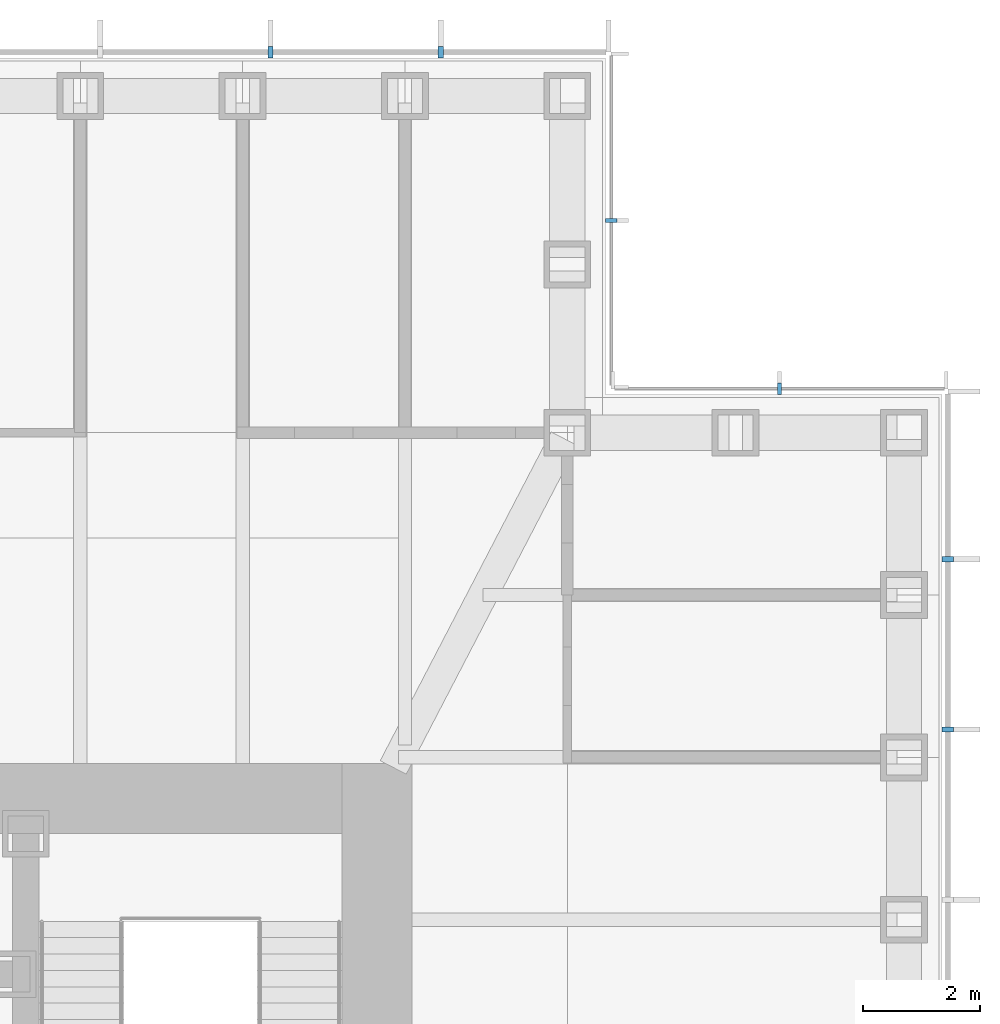
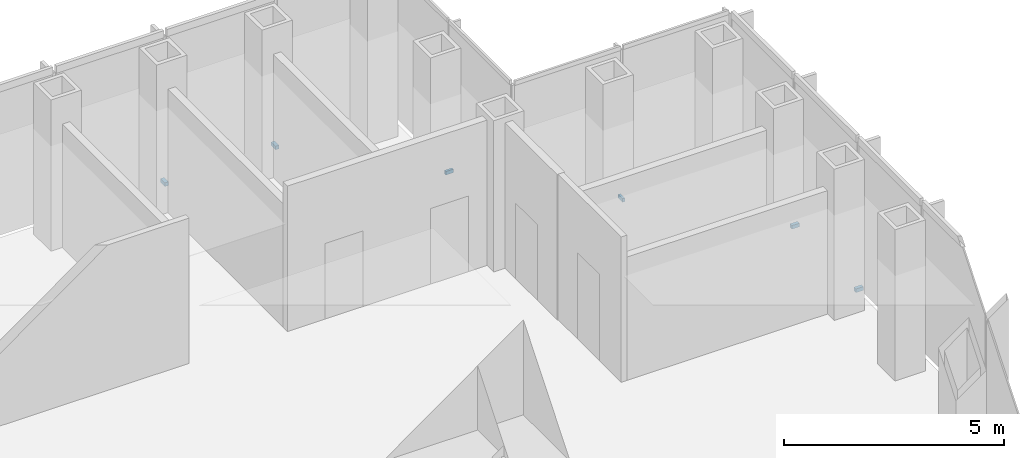
# One storey, part 15 of 16: 6 discrete accessories.
"""IFC4 building model written with IfcOpenShell, lengths in metres."""

import ifcopenshell
import ifcopenshell.guid

model = None  # the IFC model being written
_history = None  # IfcOwnerHistory: only IFC2X3 demands one
_inside = {}  # id of a spatial element -> (the spatial element, [elements in it])
_under = {}  # id of a project, library or spatial element -> (it, [spatial elements below it])
_declared = {}  # id of a project -> (the project, [libraries it declares])
_typed = {}  # id of a type object -> (the type object, [elements of that type])
_made_of = {}  # id of a material, layer set ... -> (it, [elements and type objects made of it])


def new_model(schema):
    """Start an empty IFC model of exactly this schema.

    Asked for "IFC4X3", IfcOpenShell would pick the latest addendum, in which some entities
    have other attributes; the version numbers below select the first issue.
    IFC2X3 requires an IfcOwnerHistory on every rooted entity: one is made here for all.
    """
    global model, _history
    if schema == "IFC4X3":
        model = ifcopenshell.file(schema_version=(4, 3, 0, 0))
    else:
        model = ifcopenshell.file(schema=schema)
    _inside.clear()
    _under.clear()
    _declared.clear()
    _typed.clear()
    _made_of.clear()
    _history = None
    if model.schema == "IFC2X3":
        org = make("IfcOrganization", Name="unknown")
        user = make(
            "IfcPersonAndOrganization",
            ThePerson=make("IfcPerson", FamilyName="unknown"),
            TheOrganization=org,
        )
        app = make(
            "IfcApplication",
            ApplicationDeveloper=org,
            Version="unknown",
            ApplicationFullName="unknown",
            ApplicationIdentifier="unknown",
        )
        _history = make(
            "IfcOwnerHistory",
            OwningUser=user,
            OwningApplication=app,
            ChangeAction="ADDED",
            CreationDate=0,
        )
    return model


def make(cls, **values):
    """One entity of the class cls with the attributes given. An attribute that is None is left unset."""
    return model.create_entity(
        cls, **{name: value for name, value in values.items() if value is not None}
    )


def rooted(cls, **values):
    """An entity with a GlobalId (a new one), such as an element, a storey or a relation."""
    return make(cls, GlobalId=ifcopenshell.guid.new(), OwnerHistory=_history, **values)


def si_unit(unit_type, name, prefix=None):
    """IfcSIUnit, for example si_unit("LENGTHUNIT", "METRE", prefix="MILLI")."""
    return make("IfcSIUnit", UnitType=unit_type, Prefix=prefix, Name=name)


def assignment(units):
    """IfcUnitAssignment: the units of a project."""
    return None if units is None else make("IfcUnitAssignment", Units=units)


def point(xyz):
    """IfcCartesianPoint."""
    return None if xyz is None else make("IfcCartesianPoint", Coordinates=xyz)


def direction(xyz):
    """IfcDirection."""
    return None if xyz is None else make("IfcDirection", DirectionRatios=xyz)


def frame(location, z_axis=None, x_axis=None):
    """IfcAxis2Placement3D, a coordinate frame: its origin and axes. An axis left out is left unset."""
    return make(
        "IfcAxis2Placement3D",
        Location=point(location),
        Axis=direction(z_axis),
        RefDirection=direction(x_axis),
    )


def frame_2d(location, x_axis=None):
    """IfcAxis2Placement2D, a coordinate frame in the plane: its origin and x axis."""
    return make(
        "IfcAxis2Placement2D", Location=point(location), RefDirection=direction(x_axis)
    )


def origin():
    """The frame at (0, 0, 0) with its axes left unset."""
    return frame((0.0, 0.0, 0.0))


def origin_2d():
    """The frame at (0, 0) in the plane with its x axis left unset."""
    return frame_2d((0.0, 0.0))


def place(relative_to, where):
    """IfcLocalPlacement: puts the frame where relative to a parent placement (None: the world)."""
    return make(
        "IfcLocalPlacement", PlacementRelTo=relative_to, RelativePlacement=where
    )


def context(
    kind, dimensions, precision=None, world=None, true_north=None, identifier=None
):
    """IfcGeometricRepresentationContext, for example the 3D "Model" context."""
    return make(
        "IfcGeometricRepresentationContext",
        ContextIdentifier=identifier,
        ContextType=kind,
        CoordinateSpaceDimension=dimensions,
        Precision=precision,
        WorldCoordinateSystem=world,
        TrueNorth=true_north,
    )


def subcontext(parent, identifier, kind, view, scale=None):
    """IfcGeometricRepresentationSubContext, for example "Body" below "Model"."""
    return make(
        "IfcGeometricRepresentationSubContext",
        ContextIdentifier=identifier,
        ContextType=kind,
        ParentContext=parent,
        TargetScale=scale,
        TargetView=view,
    )


def project(units=None, contexts=None):
    """IfcProject with its units and contexts."""
    return rooted(
        "IfcProject",
        Name="project",
        RepresentationContexts=contexts,
        UnitsInContext=assignment(units),
    )


def spatial(cls, under=None, at=None, **own):
    """A site, building, storey or space (cls), placed at a placement, below another one or the project."""
    s = rooted(cls, ObjectPlacement=at, **own)
    if under is not None:
        _under.setdefault(under.id(), (under, []))[1].append(s)
    return s


def profile(cls, at=None, kind="AREA", **sizes):
    """A parametric profile (cls). Its sizes go by their IFC names, for example OverallWidth=200.0."""
    return make(cls, ProfileType=kind, Position=at, **sizes)


def rectangle(**sizes):
    """IfcRectangleProfileDef."""
    return profile("IfcRectangleProfileDef", **sizes)


def extrude(swept, where, along, depth):
    """IfcExtrudedAreaSolid: the profile swept, set in the frame where, extruded along a direction by depth."""
    return make(
        "IfcExtrudedAreaSolid",
        SweptArea=swept,
        Position=where,
        ExtrudedDirection=direction(along),
        Depth=depth,
    )


def shape(context_of_items, identifier, shape_type, items):
    """IfcShapeRepresentation: the items that make up one representation, for example the "Body"."""
    return make(
        "IfcShapeRepresentation",
        ContextOfItems=context_of_items,
        RepresentationIdentifier=identifier,
        RepresentationType=shape_type,
        Items=items,
    )


def made_of(thing, what):
    """Note that an element or type object is made of a material, layer set ...; save() writes the relation."""
    if what is not None:
        _made_of.setdefault(what.id(), (what, []))[1].append(thing)
    return thing


def element(
    cls,
    number,
    at=None,
    inside=None,
    cuts=None,
    type_object=None,
    material=None,
    context=None,
    identifier="Body",
    shape_type=None,
    held_by="IfcProductDefinitionShape",
    body=None,
    shapes=None,
    **own,
):
    """One element of the class cls, such as IfcWall. Its Tag is "e" and its number.

    at: its placement. inside: the storey or other place that contains it. cuts: it is an
    opening in that element (IfcRelVoidsElement). A single representation is given by context,
    identifier, shape_type and body (its items); several are given by shapes. held_by: the class
    of the entity that holds the representations. save() writes the other relations.
    """
    e = rooted(cls, Tag="e%d" % number, ObjectPlacement=at, **own)
    if body is not None:
        shapes = [shape(context, identifier, shape_type, body)]
    if shapes is not None:
        e.Representation = make(held_by, Representations=shapes)
    if inside is not None:
        _inside.setdefault(inside.id(), (inside, []))[1].append(e)
    if cuts is not None:
        rooted(
            "IfcRelVoidsElement", RelatingBuildingElement=cuts, RelatedOpeningElement=e
        )
    if type_object is not None:
        _typed.setdefault(type_object.id(), (type_object, []))[1].append(e)
    return made_of(e, material)


def aggregate(whole, parts):
    """IfcRelAggregates: a whole, such as a stair, and the parts it consists of."""
    return rooted("IfcRelAggregates", RelatingObject=whole, RelatedObjects=parts)


def save(model, path):
    """Write the relations noted so far, then the file.

    IfcRelAggregates (storeys below a building ...), IfcRelContainedInSpatialStructure (elements
    in a storey), IfcRelDefinesByType, IfcRelAssociatesMaterial and IfcRelDeclares: one each for
    every whole, place, type object, material and project.
    """
    for whole, parts in _under.values():
        aggregate(whole, parts)
    for where, things in _inside.values():
        rooted(
            "IfcRelContainedInSpatialStructure",
            RelatedElements=things,
            RelatingStructure=where,
        )
    for kind, things in _typed.values():
        rooted("IfcRelDefinesByType", RelatedObjects=things, RelatingType=kind)
    for what, things in _made_of.values():
        rooted("IfcRelAssociatesMaterial", RelatedObjects=things, RelatingMaterial=what)
    for by, libraries in _declared.values():
        rooted("IfcRelDeclares", RelatingContext=by, RelatedDefinitions=libraries)
    model.write(path)


model = new_model("IFC4")

# Units and contexts
model_context = context("Model", 3, precision=1e-05, world=origin(), true_north=direction((0.0, 1.0)))
body_context = subcontext(model_context, "Body", "Model", "MODEL_VIEW")
ifc_project = project(units=[si_unit("LENGTHUNIT", "METRE"), si_unit("AREAUNIT", "SQUARE_METRE"), si_unit("VOLUMEUNIT", "CUBIC_METRE"), si_unit("PLANEANGLEUNIT", "RADIAN"), si_unit("MASSUNIT", "GRAM", prefix="KILO")], contexts=[model_context])

# Site, building, storey
site_placement = place(None, origin())
site = spatial("IfcSite", under=ifc_project, at=site_placement, CompositionType="ELEMENT")
building_placement = place(site_placement, origin())
building = spatial("IfcBuilding", under=site, at=building_placement, Name="Daluyong Arena Tower", CompositionType="ELEMENT")
storey_placement = place(building_placement, frame((0.0, 0.0, 254.5)))
storey = spatial("IfcBuildingStorey", under=building, at=storey_placement, Name="L57", CompositionType="ELEMENT", Elevation=254.5)

# Discrete accessories
for number, where, z_axis, x_axis, name in (
    (1, (77.75, 90.181884765625, -0.10009765625), (0.0, 0.0, 1.0), (0.0, 1.0, 0.0), "curtain wall L57 E anchor bracket 10"),
    (2, (77.75, 93.0908203125, -0.10009765625), (0.0, 0.0, 1.0), (0.0, 1.0, 0.0), "curtain wall L57 E anchor bracket 11"),
):
    element("IfcDiscreteAccessory", number, at=place(storey_placement, frame(where, z_axis=z_axis, x_axis=x_axis)), inside=storey, Name=name, PredefinedType="BRACKET", context=body_context, shape_type="SweptSolid", body=[
        extrude(rectangle(XDim=0.090087890625, YDim=0.199951171875, at=origin_2d()), origin(), (0.0, 0.0, 1.0), 0.10009765625),
    ])
for number, where, z_axis, x_axis, name in (
    (3, (74.875, 96.0, -0.10009765625), (0.0, 0.0, 1.0), (-1.0, 0.0, 0.0), "curtain wall L57 NE-N anchor bracket 2"),
    (4, (72.0, 98.875, -0.10009765625), (0.0, 0.0, 1.0), (0.0, 1.0, 0.0), "curtain wall L57 NE-E anchor bracket 2"),
):
    element("IfcDiscreteAccessory", number, at=place(storey_placement, frame(where, z_axis=z_axis, x_axis=x_axis)), inside=storey, Name=name, PredefinedType="BRACKET", context=body_context, shape_type="SweptSolid", body=[
        extrude(rectangle(XDim=0.06005859375, YDim=0.199951171875, at=origin_2d()), origin(), (0.0, 0.0, 1.0), 0.10009765625),
    ])
for number, where, z_axis, x_axis, name in (
    (5, (69.0908203125, 101.75, -0.10009765625), (0.0, 0.0, 1.0), (-1.0, 0.0, 0.0), "curtain wall L57 N anchor bracket 2"),
    (6, (66.181884765625, 101.75, -0.10009765625), (0.0, 0.0, 1.0), (-1.0, 0.0, 0.0), "curtain wall L57 N anchor bracket 3"),
):
    element("IfcDiscreteAccessory", number, at=place(storey_placement, frame(where, z_axis=z_axis, x_axis=x_axis)), inside=storey, Name=name, PredefinedType="BRACKET", context=body_context, shape_type="SweptSolid", body=[
        extrude(rectangle(XDim=0.090087890625, YDim=0.199951171875, at=origin_2d()), origin(), (0.0, 0.0, 1.0), 0.10009765625),
    ])

save(model, "model.ifc")
